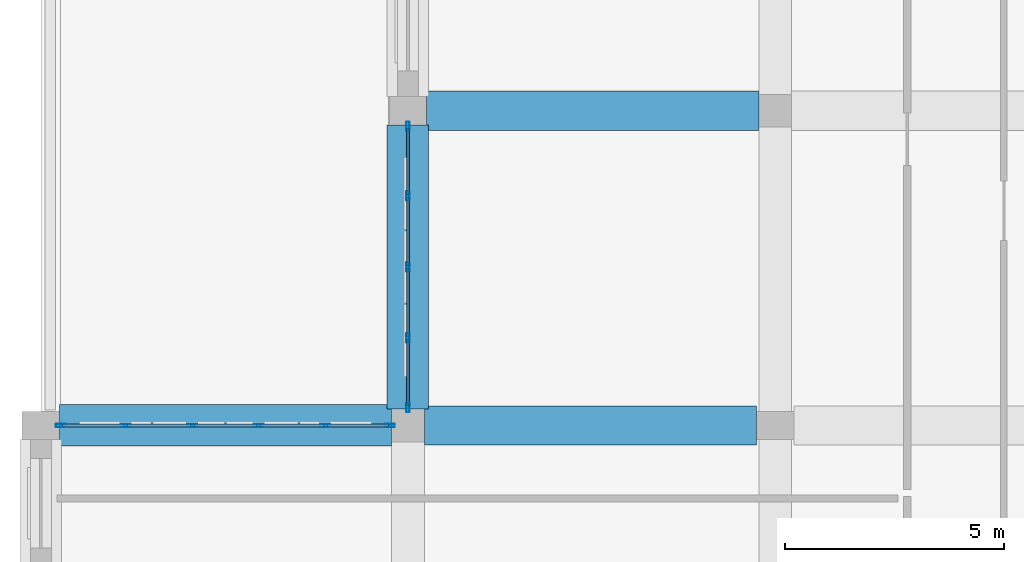
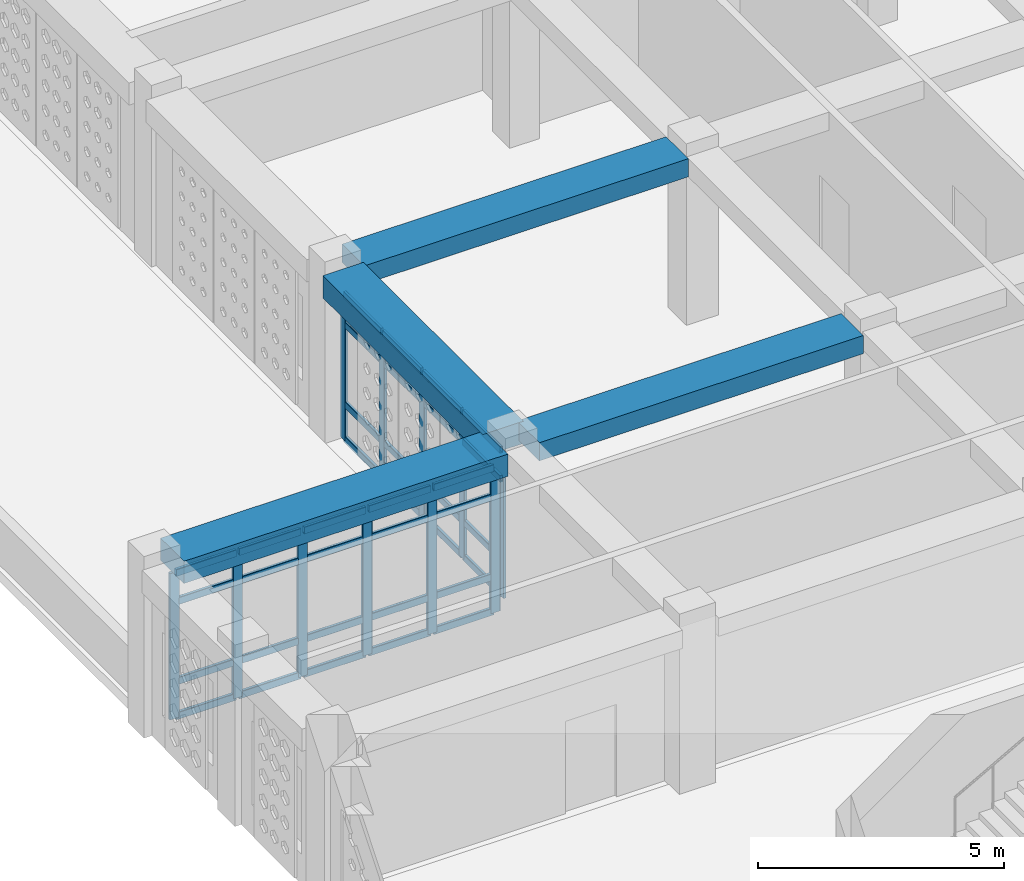
# One storey, part 9 of 100: 47 members, 4 beams, 2 elements without a shape of their own.
"""IFC4 building model written with IfcOpenShell, lengths in metres."""

from ifc_helpers import new_model, si_unit, derived_unit, direction, frame, origin, origin_2d, place, context, subcontext, project, spatial, rectangle, hollow_rectangle, extrude, material, material_profile, profile_set, type_object, element, aggregate, save


model = new_model("IFC4")

# Units and contexts
model_context = context("Model", 3, precision=1e-05, world=origin(), true_north=direction((0.0, 1.0)))
body_context = subcontext(model_context, "Body", "Model", "MODEL_VIEW")
ifc_project = project(units=[si_unit("LENGTHUNIT", "METRE"), si_unit("AREAUNIT", "SQUARE_METRE"), si_unit("VOLUMEUNIT", "CUBIC_METRE"), si_unit("PLANEANGLEUNIT", "RADIAN"), si_unit("MASSUNIT", "GRAM", prefix="KILO"), derived_unit("THERMALTRANSMITTANCEUNIT", [(si_unit("POWERUNIT", "WATT"), 1), (si_unit("LENGTHUNIT", "METRE"), -2), (si_unit("THERMODYNAMICTEMPERATUREUNIT", "KELVIN"), -1)])], contexts=[model_context])

# Site, building, storey
site_placement = place(None, origin())
site = spatial("IfcSite", under=ifc_project, at=site_placement, CompositionType="ELEMENT")
building_placement = place(site_placement, origin())
building = spatial("IfcBuilding", under=site, at=building_placement, Name="Veybourne Emporium", CompositionType="ELEMENT")
storey_placement = place(building_placement, frame((0.0, 0.0, 14.39990234375)))
storey = spatial("IfcBuildingStorey", under=building, at=storey_placement, Name="L03", CompositionType="ELEMENT", Elevation=14.39990234375)

# Curtain wall, members
ifc_material_1 = material(Name="Patinated Architectural Bronze", Category="bronze")
curtain_wall_type_1 = type_object("IfcCurtainWallType", Name="CWSystem_CWS-06", PredefinedType="NOTDEFINED", material=ifc_material_1)
curtain_wall_1_placement = place(storey_placement, origin())
curtain_wall_1 = element("IfcCurtainWall", 1, at=curtain_wall_1_placement, inside=storey, type_object=curtain_wall_type_1, Name="L03 bronze glazed curtain wall CWS-06 (006)", PredefinedType="NOTDEFINED")
ifc_material_profile_1 = material_profile(ifc_material_1, hollow_rectangle(XDim=0.074951171875, YDim=0.22998046875, WallThickness=0.0048828125, InnerFilletRadius=0.007568359375, OuterFilletRadius=0.012451171875, at=origin_2d()), Name="CWM 75x230x5")
ifc_profile_set_1 = profile_set([ifc_material_profile_1], Name="Patinated Architectural Bronze")
member_type_1 = type_object("IfcMemberType", Name="CWMullion_CW-M2", PredefinedType="MULLION", material=ifc_profile_set_1)
member_1_placement = place(storey_placement, frame((0.46240234375, 50.39990234375, 0.0), z_axis=(0.0, 0.0, 1.0), x_axis=(0.0, 1.0, 0.0)))
member_1 = element("IfcMember", 2, at=member_1_placement, type_object=member_type_1, Name="CWS-06 mullion 1", PredefinedType="MULLION", context=body_context, shape_type="SweptSolid", body=[
    extrude(hollow_rectangle(XDim=0.074951171875, YDim=0.22998046875, WallThickness=0.0048828125, InnerFilletRadius=0.007568359375, OuterFilletRadius=0.012451171875, at=origin_2d()), origin(), (0.0, 0.0, 1.0), 3.630126953125),
])
member_2_placement = place(storey_placement, frame((1.945068359375, 50.39990234375, 0.0), z_axis=(0.0, 0.0, 1.0), x_axis=(0.0, 1.0, 0.0)))
member_2 = element("IfcMember", 3, at=member_2_placement, type_object=member_type_1, Name="CWS-06 mullion 2", PredefinedType="MULLION", context=body_context, shape_type="SweptSolid", body=[
    extrude(hollow_rectangle(XDim=0.074951171875, YDim=0.22998046875, WallThickness=0.0048828125, InnerFilletRadius=0.007568359375, OuterFilletRadius=0.012451171875, at=origin_2d()), origin(), (0.0, 0.0, 1.0), 3.630126953125),
])
member_3_placement = place(storey_placement, frame((3.465087890625, 50.39990234375, 0.0), z_axis=(0.0, 0.0, 1.0), x_axis=(0.0, 1.0, 0.0)))
member_3 = element("IfcMember", 4, at=member_3_placement, type_object=member_type_1, Name="CWS-06 mullion 3", PredefinedType="MULLION", context=body_context, shape_type="SweptSolid", body=[
    extrude(hollow_rectangle(XDim=0.074951171875, YDim=0.22998046875, WallThickness=0.0048828125, InnerFilletRadius=0.007568359375, OuterFilletRadius=0.012451171875, at=origin_2d()), origin(), (0.0, 0.0, 1.0), 3.630126953125),
])
member_4_placement = place(storey_placement, frame((4.985107421875, 50.39990234375, 0.0), z_axis=(0.0, 0.0, 1.0), x_axis=(0.0, 1.0, 0.0)))
member_4 = element("IfcMember", 5, at=member_4_placement, type_object=member_type_1, Name="CWS-06 mullion 4", PredefinedType="MULLION", context=body_context, shape_type="SweptSolid", body=[
    extrude(hollow_rectangle(XDim=0.074951171875, YDim=0.22998046875, WallThickness=0.0048828125, InnerFilletRadius=0.007568359375, OuterFilletRadius=0.012451171875, at=origin_2d()), origin(), (0.0, 0.0, 1.0), 3.630126953125),
])
member_5_placement = place(storey_placement, frame((6.5048828125, 50.39990234375, 0.0), z_axis=(0.0, 0.0, 1.0), x_axis=(0.0, 1.0, 0.0)))
member_5 = element("IfcMember", 6, at=member_5_placement, type_object=member_type_1, Name="CWS-06 mullion 5", PredefinedType="MULLION", context=body_context, shape_type="SweptSolid", body=[
    extrude(hollow_rectangle(XDim=0.074951171875, YDim=0.22998046875, WallThickness=0.0048828125, InnerFilletRadius=0.007568359375, OuterFilletRadius=0.012451171875, at=origin_2d()), origin(), (0.0, 0.0, 1.0), 3.630126953125),
])
member_6_placement = place(storey_placement, frame((7.987548828125, 50.39990234375, 0.0), z_axis=(0.0, 0.0, 1.0), x_axis=(0.0, 1.0, 0.0)))
member_6 = element("IfcMember", 7, at=member_6_placement, type_object=member_type_1, Name="CWS-06 mullion 6", PredefinedType="MULLION", context=body_context, shape_type="SweptSolid", body=[
    extrude(hollow_rectangle(XDim=0.074951171875, YDim=0.22998046875, WallThickness=0.0048828125, InnerFilletRadius=0.007568359375, OuterFilletRadius=0.012451171875, at=origin_2d()), origin(), (0.0, 0.0, 1.0), 3.630126953125),
])

curtain_wall_type_2 = type_object("IfcCurtainWallType", Name="CWSystem_CWS-08", PredefinedType="NOTDEFINED", material=ifc_material_1)
curtain_wall_2_placement = place(storey_placement, origin())
curtain_wall_2 = element("IfcCurtainWall", 8, at=curtain_wall_2_placement, inside=storey, type_object=curtain_wall_type_2, Name="L03 bronze glazed curtain wall CWS-08 (009)", PredefinedType="NOTDEFINED")
ifc_material_profile_2 = material_profile(ifc_material_1, hollow_rectangle(XDim=0.070068359375, YDim=0.219970703125, WallThickness=0.0048828125, InnerFilletRadius=0.007568359375, OuterFilletRadius=0.012451171875, at=origin_2d()), Name="CWM 70x220x5")
ifc_profile_set_2 = profile_set([ifc_material_profile_2], Name="Patinated Architectural Bronze")
member_type_2 = type_object("IfcMemberType", Name="CWMullion_CW-M4", PredefinedType="MULLION", material=ifc_profile_set_2)
member_7_placement = place(storey_placement, frame((8.39990234375, 50.81005859375, 0.0), z_axis=(0.0, 0.0, 1.0), x_axis=(-1.0, 0.0, 0.0)))
member_7 = element("IfcMember", 9, at=member_7_placement, type_object=member_type_2, Name="CWS-08 mullion 1", PredefinedType="MULLION", context=body_context, shape_type="SweptSolid", body=[
    extrude(hollow_rectangle(XDim=0.070068359375, YDim=0.219970703125, WallThickness=0.0048828125, InnerFilletRadius=0.007568359375, OuterFilletRadius=0.012451171875, at=origin_2d()), origin(), (0.0, 0.0, 1.0), 3.630126953125),
])
member_8_placement = place(storey_placement, frame((8.39990234375, 52.39990234375, 0.0), z_axis=(0.0, 0.0, 1.0), x_axis=(-1.0, 0.0, 0.0)))
member_8 = element("IfcMember", 10, at=member_8_placement, type_object=member_type_2, Name="CWS-08 mullion 2", PredefinedType="MULLION", context=body_context, shape_type="SweptSolid", body=[
    extrude(hollow_rectangle(XDim=0.070068359375, YDim=0.219970703125, WallThickness=0.0048828125, InnerFilletRadius=0.007568359375, OuterFilletRadius=0.012451171875, at=origin_2d()), origin(), (0.0, 0.0, 1.0), 3.630126953125),
])
member_9_placement = place(storey_placement, frame((8.39990234375, 54.02490234375, 0.0), z_axis=(0.0, 0.0, 1.0), x_axis=(-1.0, 0.0, 0.0)))
member_9 = element("IfcMember", 11, at=member_9_placement, type_object=member_type_2, Name="CWS-08 mullion 3", PredefinedType="MULLION", context=body_context, shape_type="SweptSolid", body=[
    extrude(hollow_rectangle(XDim=0.070068359375, YDim=0.219970703125, WallThickness=0.0048828125, InnerFilletRadius=0.007568359375, OuterFilletRadius=0.012451171875, at=origin_2d()), origin(), (0.0, 0.0, 1.0), 3.630126953125),
])
member_10_placement = place(storey_placement, frame((8.39990234375, 55.64990234375, 0.0), z_axis=(0.0, 0.0, 1.0), x_axis=(-1.0, 0.0, 0.0)))
member_10 = element("IfcMember", 12, at=member_10_placement, type_object=member_type_2, Name="CWS-08 mullion 4", PredefinedType="MULLION", context=body_context, shape_type="SweptSolid", body=[
    extrude(hollow_rectangle(XDim=0.070068359375, YDim=0.219970703125, WallThickness=0.0048828125, InnerFilletRadius=0.007568359375, OuterFilletRadius=0.012451171875, at=origin_2d()), origin(), (0.0, 0.0, 1.0), 3.630126953125),
])
member_11_placement = place(storey_placement, frame((8.39990234375, 57.239990234375, 0.0), z_axis=(0.0, 0.0, 1.0), x_axis=(-1.0, 0.0, 0.0)))
member_11 = element("IfcMember", 13, at=member_11_placement, type_object=member_type_2, Name="CWS-08 mullion 5", PredefinedType="MULLION", context=body_context, shape_type="SweptSolid", body=[
    extrude(hollow_rectangle(XDim=0.070068359375, YDim=0.219970703125, WallThickness=0.0048828125, InnerFilletRadius=0.007568359375, OuterFilletRadius=0.012451171875, at=origin_2d()), origin(), (0.0, 0.0, 1.0), 3.630126953125),
])

# Member
ifc_material_profile_3 = material_profile(ifc_material_1, hollow_rectangle(XDim=0.074951171875, YDim=0.179931640625, WallThickness=0.0048828125, InnerFilletRadius=0.007568359375, OuterFilletRadius=0.012451171875, at=origin_2d()), Name="CWT 75x180x5")
ifc_profile_set_3 = profile_set([ifc_material_profile_3], Name="Patinated Architectural Bronze")
member_type_3 = type_object("IfcMemberType", Name="CWTransom_CW-T2", PredefinedType="NOTDEFINED", material=ifc_profile_set_3)
member_12_placement = place(storey_placement, frame((0.5, 50.39990234375, 0.03759765625), z_axis=(1.0, 0.0, 0.0), x_axis=(0.0, 1.0, 0.0)))
member_12 = element("IfcMember", 14, at=member_12_placement, type_object=member_type_3, Name="CWS-06 transom 1.1", ObjectType="TRANSOM", PredefinedType="USERDEFINED", context=body_context, shape_type="SweptSolid", body=[
    extrude(hollow_rectangle(XDim=0.074951171875, YDim=0.179931640625, WallThickness=0.0048828125, InnerFilletRadius=0.007568359375, OuterFilletRadius=0.012451171875, at=origin_2d()), origin(), (0.0, 0.0, 1.0), 1.407470703125),
])

member_13_placement = place(storey_placement, frame((0.5, 50.39990234375, 0.900146484375), z_axis=(1.0, 0.0, 0.0), x_axis=(0.0, 1.0, 0.0)))
member_13 = element("IfcMember", 15, at=member_13_placement, type_object=member_type_3, Name="CWS-06 transom 1.2", ObjectType="TRANSOM", PredefinedType="USERDEFINED", context=body_context, shape_type="SweptSolid", body=[
    extrude(hollow_rectangle(XDim=0.074951171875, YDim=0.179931640625, WallThickness=0.0048828125, InnerFilletRadius=0.007568359375, OuterFilletRadius=0.012451171875, at=origin_2d()), origin(), (0.0, 0.0, 1.0), 1.407470703125),
])

member_14_placement = place(storey_placement, frame((0.5, 50.39990234375, 2.880126953125), z_axis=(1.0, 0.0, 0.0), x_axis=(0.0, 1.0, 0.0)))
member_14 = element("IfcMember", 16, at=member_14_placement, type_object=member_type_3, Name="CWS-06 transom 1.3", ObjectType="TRANSOM", PredefinedType="USERDEFINED", context=body_context, shape_type="SweptSolid", body=[
    extrude(hollow_rectangle(XDim=0.074951171875, YDim=0.179931640625, WallThickness=0.0048828125, InnerFilletRadius=0.007568359375, OuterFilletRadius=0.012451171875, at=origin_2d()), origin(), (0.0, 0.0, 1.0), 1.407470703125),
])

member_15_placement = place(storey_placement, frame((0.5, 50.39990234375, 3.592529296875), z_axis=(1.0, 0.0, 0.0), x_axis=(0.0, 1.0, 0.0)))
member_15 = element("IfcMember", 17, at=member_15_placement, type_object=member_type_3, Name="CWS-06 transom 1.4", ObjectType="TRANSOM", PredefinedType="USERDEFINED", context=body_context, shape_type="SweptSolid", body=[
    extrude(hollow_rectangle(XDim=0.074951171875, YDim=0.179931640625, WallThickness=0.0048828125, InnerFilletRadius=0.007568359375, OuterFilletRadius=0.012451171875, at=origin_2d()), origin(), (0.0, 0.0, 1.0), 1.407470703125),
])

member_16_placement = place(storey_placement, frame((1.982421875, 50.39990234375, 0.03759765625), z_axis=(1.0, 0.0, 0.0), x_axis=(0.0, 1.0, 0.0)))
member_16 = element("IfcMember", 18, at=member_16_placement, type_object=member_type_3, Name="CWS-06 transom 2.1", ObjectType="TRANSOM", PredefinedType="USERDEFINED", context=body_context, shape_type="SweptSolid", body=[
    extrude(hollow_rectangle(XDim=0.074951171875, YDim=0.179931640625, WallThickness=0.0048828125, InnerFilletRadius=0.007568359375, OuterFilletRadius=0.012451171875, at=origin_2d()), origin(), (0.0, 0.0, 1.0), 1.445068359375),
])

member_17_placement = place(storey_placement, frame((1.982421875, 50.39990234375, 0.900146484375), z_axis=(1.0, 0.0, 0.0), x_axis=(0.0, 1.0, 0.0)))
member_17 = element("IfcMember", 19, at=member_17_placement, type_object=member_type_3, Name="CWS-06 transom 2.2", ObjectType="TRANSOM", PredefinedType="USERDEFINED", context=body_context, shape_type="SweptSolid", body=[
    extrude(hollow_rectangle(XDim=0.074951171875, YDim=0.179931640625, WallThickness=0.0048828125, InnerFilletRadius=0.007568359375, OuterFilletRadius=0.012451171875, at=origin_2d()), origin(), (0.0, 0.0, 1.0), 1.445068359375),
])

member_18_placement = place(storey_placement, frame((1.982421875, 50.39990234375, 2.880126953125), z_axis=(1.0, 0.0, 0.0), x_axis=(0.0, 1.0, 0.0)))
member_18 = element("IfcMember", 20, at=member_18_placement, type_object=member_type_3, Name="CWS-06 transom 2.3", ObjectType="TRANSOM", PredefinedType="USERDEFINED", context=body_context, shape_type="SweptSolid", body=[
    extrude(hollow_rectangle(XDim=0.074951171875, YDim=0.179931640625, WallThickness=0.0048828125, InnerFilletRadius=0.007568359375, OuterFilletRadius=0.012451171875, at=origin_2d()), origin(), (0.0, 0.0, 1.0), 1.445068359375),
])

member_19_placement = place(storey_placement, frame((1.982421875, 50.39990234375, 3.592529296875), z_axis=(1.0, 0.0, 0.0), x_axis=(0.0, 1.0, 0.0)))
member_19 = element("IfcMember", 21, at=member_19_placement, type_object=member_type_3, Name="CWS-06 transom 2.4", ObjectType="TRANSOM", PredefinedType="USERDEFINED", context=body_context, shape_type="SweptSolid", body=[
    extrude(hollow_rectangle(XDim=0.074951171875, YDim=0.179931640625, WallThickness=0.0048828125, InnerFilletRadius=0.007568359375, OuterFilletRadius=0.012451171875, at=origin_2d()), origin(), (0.0, 0.0, 1.0), 1.445068359375),
])

member_20_placement = place(storey_placement, frame((3.50244140625, 50.39990234375, 0.03759765625), z_axis=(1.0, 0.0, 0.0), x_axis=(0.0, 1.0, 0.0)))
member_20 = element("IfcMember", 22, at=member_20_placement, type_object=member_type_3, Name="CWS-06 transom 3.1", ObjectType="TRANSOM", PredefinedType="USERDEFINED", context=body_context, shape_type="SweptSolid", body=[
    extrude(hollow_rectangle(XDim=0.074951171875, YDim=0.179931640625, WallThickness=0.0048828125, InnerFilletRadius=0.007568359375, OuterFilletRadius=0.012451171875, at=origin_2d()), origin(), (0.0, 0.0, 1.0), 1.445068359375),
])

member_21_placement = place(storey_placement, frame((3.50244140625, 50.39990234375, 0.900146484375), z_axis=(1.0, 0.0, 0.0), x_axis=(0.0, 1.0, 0.0)))
member_21 = element("IfcMember", 23, at=member_21_placement, type_object=member_type_3, Name="CWS-06 transom 3.2", ObjectType="TRANSOM", PredefinedType="USERDEFINED", context=body_context, shape_type="SweptSolid", body=[
    extrude(hollow_rectangle(XDim=0.074951171875, YDim=0.179931640625, WallThickness=0.0048828125, InnerFilletRadius=0.007568359375, OuterFilletRadius=0.012451171875, at=origin_2d()), origin(), (0.0, 0.0, 1.0), 1.445068359375),
])

member_22_placement = place(storey_placement, frame((3.50244140625, 50.39990234375, 2.880126953125), z_axis=(1.0, 0.0, 0.0), x_axis=(0.0, 1.0, 0.0)))
member_22 = element("IfcMember", 24, at=member_22_placement, type_object=member_type_3, Name="CWS-06 transom 3.3", ObjectType="TRANSOM", PredefinedType="USERDEFINED", context=body_context, shape_type="SweptSolid", body=[
    extrude(hollow_rectangle(XDim=0.074951171875, YDim=0.179931640625, WallThickness=0.0048828125, InnerFilletRadius=0.007568359375, OuterFilletRadius=0.012451171875, at=origin_2d()), origin(), (0.0, 0.0, 1.0), 1.445068359375),
])

member_23_placement = place(storey_placement, frame((3.50244140625, 50.39990234375, 3.592529296875), z_axis=(1.0, 0.0, 0.0), x_axis=(0.0, 1.0, 0.0)))
member_23 = element("IfcMember", 25, at=member_23_placement, type_object=member_type_3, Name="CWS-06 transom 3.4", ObjectType="TRANSOM", PredefinedType="USERDEFINED", context=body_context, shape_type="SweptSolid", body=[
    extrude(hollow_rectangle(XDim=0.074951171875, YDim=0.179931640625, WallThickness=0.0048828125, InnerFilletRadius=0.007568359375, OuterFilletRadius=0.012451171875, at=origin_2d()), origin(), (0.0, 0.0, 1.0), 1.445068359375),
])

member_24_placement = place(storey_placement, frame((5.0224609375, 50.39990234375, 0.03759765625), z_axis=(1.0, 0.0, 0.0), x_axis=(0.0, 1.0, 0.0)))
member_24 = element("IfcMember", 26, at=member_24_placement, type_object=member_type_3, Name="CWS-06 transom 4.1", ObjectType="TRANSOM", PredefinedType="USERDEFINED", context=body_context, shape_type="SweptSolid", body=[
    extrude(hollow_rectangle(XDim=0.074951171875, YDim=0.179931640625, WallThickness=0.0048828125, InnerFilletRadius=0.007568359375, OuterFilletRadius=0.012451171875, at=origin_2d()), origin(), (0.0, 0.0, 1.0), 1.445068359375),
])

member_25_placement = place(storey_placement, frame((5.0224609375, 50.39990234375, 0.900146484375), z_axis=(1.0, 0.0, 0.0), x_axis=(0.0, 1.0, 0.0)))
member_25 = element("IfcMember", 27, at=member_25_placement, type_object=member_type_3, Name="CWS-06 transom 4.2", ObjectType="TRANSOM", PredefinedType="USERDEFINED", context=body_context, shape_type="SweptSolid", body=[
    extrude(hollow_rectangle(XDim=0.074951171875, YDim=0.179931640625, WallThickness=0.0048828125, InnerFilletRadius=0.007568359375, OuterFilletRadius=0.012451171875, at=origin_2d()), origin(), (0.0, 0.0, 1.0), 1.445068359375),
])

member_26_placement = place(storey_placement, frame((5.0224609375, 50.39990234375, 2.880126953125), z_axis=(1.0, 0.0, 0.0), x_axis=(0.0, 1.0, 0.0)))
member_26 = element("IfcMember", 28, at=member_26_placement, type_object=member_type_3, Name="CWS-06 transom 4.3", ObjectType="TRANSOM", PredefinedType="USERDEFINED", context=body_context, shape_type="SweptSolid", body=[
    extrude(hollow_rectangle(XDim=0.074951171875, YDim=0.179931640625, WallThickness=0.0048828125, InnerFilletRadius=0.007568359375, OuterFilletRadius=0.012451171875, at=origin_2d()), origin(), (0.0, 0.0, 1.0), 1.445068359375),
])

member_27_placement = place(storey_placement, frame((5.0224609375, 50.39990234375, 3.592529296875), z_axis=(1.0, 0.0, 0.0), x_axis=(0.0, 1.0, 0.0)))
member_27 = element("IfcMember", 29, at=member_27_placement, type_object=member_type_3, Name="CWS-06 transom 4.4", ObjectType="TRANSOM", PredefinedType="USERDEFINED", context=body_context, shape_type="SweptSolid", body=[
    extrude(hollow_rectangle(XDim=0.074951171875, YDim=0.179931640625, WallThickness=0.0048828125, InnerFilletRadius=0.007568359375, OuterFilletRadius=0.012451171875, at=origin_2d()), origin(), (0.0, 0.0, 1.0), 1.445068359375),
])

member_28_placement = place(storey_placement, frame((6.54248046875, 50.39990234375, 0.03759765625), z_axis=(1.0, 0.0, 0.0), x_axis=(0.0, 1.0, 0.0)))
member_28 = element("IfcMember", 30, at=member_28_placement, type_object=member_type_3, Name="CWS-06 transom 5.1", ObjectType="TRANSOM", PredefinedType="USERDEFINED", context=body_context, shape_type="SweptSolid", body=[
    extrude(hollow_rectangle(XDim=0.074951171875, YDim=0.179931640625, WallThickness=0.0048828125, InnerFilletRadius=0.007568359375, OuterFilletRadius=0.012451171875, at=origin_2d()), origin(), (0.0, 0.0, 1.0), 1.407470703125),
])

member_29_placement = place(storey_placement, frame((6.54248046875, 50.39990234375, 0.900146484375), z_axis=(1.0, 0.0, 0.0), x_axis=(0.0, 1.0, 0.0)))
member_29 = element("IfcMember", 31, at=member_29_placement, type_object=member_type_3, Name="CWS-06 transom 5.2", ObjectType="TRANSOM", PredefinedType="USERDEFINED", context=body_context, shape_type="SweptSolid", body=[
    extrude(hollow_rectangle(XDim=0.074951171875, YDim=0.179931640625, WallThickness=0.0048828125, InnerFilletRadius=0.007568359375, OuterFilletRadius=0.012451171875, at=origin_2d()), origin(), (0.0, 0.0, 1.0), 1.407470703125),
])

member_30_placement = place(storey_placement, frame((6.54248046875, 50.39990234375, 2.880126953125), z_axis=(1.0, 0.0, 0.0), x_axis=(0.0, 1.0, 0.0)))
member_30 = element("IfcMember", 32, at=member_30_placement, type_object=member_type_3, Name="CWS-06 transom 5.3", ObjectType="TRANSOM", PredefinedType="USERDEFINED", context=body_context, shape_type="SweptSolid", body=[
    extrude(hollow_rectangle(XDim=0.074951171875, YDim=0.179931640625, WallThickness=0.0048828125, InnerFilletRadius=0.007568359375, OuterFilletRadius=0.012451171875, at=origin_2d()), origin(), (0.0, 0.0, 1.0), 1.407470703125),
])

member_31_placement = place(storey_placement, frame((6.54248046875, 50.39990234375, 3.592529296875), z_axis=(1.0, 0.0, 0.0), x_axis=(0.0, 1.0, 0.0)))
member_31 = element("IfcMember", 33, at=member_31_placement, type_object=member_type_3, Name="CWS-06 transom 5.4", ObjectType="TRANSOM", PredefinedType="USERDEFINED", context=body_context, shape_type="SweptSolid", body=[
    extrude(hollow_rectangle(XDim=0.074951171875, YDim=0.179931640625, WallThickness=0.0048828125, InnerFilletRadius=0.007568359375, OuterFilletRadius=0.012451171875, at=origin_2d()), origin(), (0.0, 0.0, 1.0), 1.407470703125),
])

aggregate(curtain_wall_1, [member_1, member_2, member_3, member_4, member_5, member_6, member_12, member_13, member_14, member_15, member_16, member_17, member_18, member_19, member_20, member_21, member_22, member_23, member_24, member_25, member_26, member_27, member_28, member_29, member_30, member_31])

ifc_material_profile_4 = material_profile(ifc_material_1, hollow_rectangle(XDim=0.070068359375, YDim=0.169921875, WallThickness=0.0048828125, InnerFilletRadius=0.007568359375, OuterFilletRadius=0.012451171875, at=origin_2d()), Name="CWT 70x170x5")
ifc_profile_set_4 = profile_set([ifc_material_profile_4], Name="Patinated Architectural Bronze")
member_type_4 = type_object("IfcMemberType", Name="CWTransom_CW-T4", PredefinedType="NOTDEFINED", material=ifc_profile_set_4)
member_32_placement = place(storey_placement, frame((8.39990234375, 50.844970703125, 0.03515625), z_axis=(0.0, 1.0, 0.0), x_axis=(-1.0, 0.0, 0.0)))
member_32 = element("IfcMember", 34, at=member_32_placement, type_object=member_type_4, Name="CWS-08 transom 1.1", ObjectType="TRANSOM", PredefinedType="USERDEFINED", context=body_context, shape_type="SweptSolid", body=[
    extrude(hollow_rectangle(XDim=0.070068359375, YDim=0.169921875, WallThickness=0.0048828125, InnerFilletRadius=0.007568359375, OuterFilletRadius=0.012451171875, at=origin_2d()), origin(), (0.0, 0.0, 1.0), 1.52001953125),
])

member_33_placement = place(storey_placement, frame((8.39990234375, 50.844970703125, 0.900146484375), z_axis=(0.0, 1.0, 0.0), x_axis=(-1.0, 0.0, 0.0)))
member_33 = element("IfcMember", 35, at=member_33_placement, type_object=member_type_4, Name="CWS-08 transom 1.2", ObjectType="TRANSOM", PredefinedType="USERDEFINED", context=body_context, shape_type="SweptSolid", body=[
    extrude(hollow_rectangle(XDim=0.070068359375, YDim=0.169921875, WallThickness=0.0048828125, InnerFilletRadius=0.007568359375, OuterFilletRadius=0.012451171875, at=origin_2d()), origin(), (0.0, 0.0, 1.0), 1.52001953125),
])

member_34_placement = place(storey_placement, frame((8.39990234375, 50.844970703125, 2.880126953125), z_axis=(0.0, 1.0, 0.0), x_axis=(-1.0, 0.0, 0.0)))
member_34 = element("IfcMember", 36, at=member_34_placement, type_object=member_type_4, Name="CWS-08 transom 1.3", ObjectType="TRANSOM", PredefinedType="USERDEFINED", context=body_context, shape_type="SweptSolid", body=[
    extrude(hollow_rectangle(XDim=0.070068359375, YDim=0.169921875, WallThickness=0.0048828125, InnerFilletRadius=0.007568359375, OuterFilletRadius=0.012451171875, at=origin_2d()), origin(), (0.0, 0.0, 1.0), 1.52001953125),
])

member_35_placement = place(storey_placement, frame((8.39990234375, 50.844970703125, 3.59521484375), z_axis=(0.0, 1.0, 0.0), x_axis=(-1.0, 0.0, 0.0)))
member_35 = element("IfcMember", 37, at=member_35_placement, type_object=member_type_4, Name="CWS-08 transom 1.4", ObjectType="TRANSOM", PredefinedType="USERDEFINED", context=body_context, shape_type="SweptSolid", body=[
    extrude(hollow_rectangle(XDim=0.070068359375, YDim=0.169921875, WallThickness=0.0048828125, InnerFilletRadius=0.007568359375, OuterFilletRadius=0.012451171875, at=origin_2d()), origin(), (0.0, 0.0, 1.0), 1.52001953125),
])

member_36_placement = place(storey_placement, frame((8.39990234375, 52.43505859375, 0.03515625), z_axis=(0.0, 1.0, 0.0), x_axis=(-1.0, 0.0, 0.0)))
member_36 = element("IfcMember", 38, at=member_36_placement, type_object=member_type_4, Name="CWS-08 transom 2.1", ObjectType="TRANSOM", PredefinedType="USERDEFINED", context=body_context, shape_type="SweptSolid", body=[
    extrude(hollow_rectangle(XDim=0.070068359375, YDim=0.169921875, WallThickness=0.0048828125, InnerFilletRadius=0.007568359375, OuterFilletRadius=0.012451171875, at=origin_2d()), origin(), (0.0, 0.0, 1.0), 1.554931640625),
])

member_37_placement = place(storey_placement, frame((8.39990234375, 52.43505859375, 0.900146484375), z_axis=(0.0, 1.0, 0.0), x_axis=(-1.0, 0.0, 0.0)))
member_37 = element("IfcMember", 39, at=member_37_placement, type_object=member_type_4, Name="CWS-08 transom 2.2", ObjectType="TRANSOM", PredefinedType="USERDEFINED", context=body_context, shape_type="SweptSolid", body=[
    extrude(hollow_rectangle(XDim=0.070068359375, YDim=0.169921875, WallThickness=0.0048828125, InnerFilletRadius=0.007568359375, OuterFilletRadius=0.012451171875, at=origin_2d()), origin(), (0.0, 0.0, 1.0), 1.554931640625),
])

member_38_placement = place(storey_placement, frame((8.39990234375, 52.43505859375, 2.880126953125), z_axis=(0.0, 1.0, 0.0), x_axis=(-1.0, 0.0, 0.0)))
member_38 = element("IfcMember", 40, at=member_38_placement, type_object=member_type_4, Name="CWS-08 transom 2.3", ObjectType="TRANSOM", PredefinedType="USERDEFINED", context=body_context, shape_type="SweptSolid", body=[
    extrude(hollow_rectangle(XDim=0.070068359375, YDim=0.169921875, WallThickness=0.0048828125, InnerFilletRadius=0.007568359375, OuterFilletRadius=0.012451171875, at=origin_2d()), origin(), (0.0, 0.0, 1.0), 1.554931640625),
])

member_39_placement = place(storey_placement, frame((8.39990234375, 52.43505859375, 3.59521484375), z_axis=(0.0, 1.0, 0.0), x_axis=(-1.0, 0.0, 0.0)))
member_39 = element("IfcMember", 41, at=member_39_placement, type_object=member_type_4, Name="CWS-08 transom 2.4", ObjectType="TRANSOM", PredefinedType="USERDEFINED", context=body_context, shape_type="SweptSolid", body=[
    extrude(hollow_rectangle(XDim=0.070068359375, YDim=0.169921875, WallThickness=0.0048828125, InnerFilletRadius=0.007568359375, OuterFilletRadius=0.012451171875, at=origin_2d()), origin(), (0.0, 0.0, 1.0), 1.554931640625),
])

member_40_placement = place(storey_placement, frame((8.39990234375, 54.06005859375, 0.03515625), z_axis=(0.0, 1.0, 0.0), x_axis=(-1.0, 0.0, 0.0)))
member_40 = element("IfcMember", 42, at=member_40_placement, type_object=member_type_4, Name="CWS-08 transom 3.1", ObjectType="TRANSOM", PredefinedType="USERDEFINED", context=body_context, shape_type="SweptSolid", body=[
    extrude(hollow_rectangle(XDim=0.070068359375, YDim=0.169921875, WallThickness=0.0048828125, InnerFilletRadius=0.007568359375, OuterFilletRadius=0.012451171875, at=origin_2d()), origin(), (0.0, 0.0, 1.0), 1.554931640625),
])

member_41_placement = place(storey_placement, frame((8.39990234375, 54.06005859375, 0.900146484375), z_axis=(0.0, 1.0, 0.0), x_axis=(-1.0, 0.0, 0.0)))
member_41 = element("IfcMember", 43, at=member_41_placement, type_object=member_type_4, Name="CWS-08 transom 3.2", ObjectType="TRANSOM", PredefinedType="USERDEFINED", context=body_context, shape_type="SweptSolid", body=[
    extrude(hollow_rectangle(XDim=0.070068359375, YDim=0.169921875, WallThickness=0.0048828125, InnerFilletRadius=0.007568359375, OuterFilletRadius=0.012451171875, at=origin_2d()), origin(), (0.0, 0.0, 1.0), 1.554931640625),
])

member_42_placement = place(storey_placement, frame((8.39990234375, 54.06005859375, 2.880126953125), z_axis=(0.0, 1.0, 0.0), x_axis=(-1.0, 0.0, 0.0)))
member_42 = element("IfcMember", 44, at=member_42_placement, type_object=member_type_4, Name="CWS-08 transom 3.3", ObjectType="TRANSOM", PredefinedType="USERDEFINED", context=body_context, shape_type="SweptSolid", body=[
    extrude(hollow_rectangle(XDim=0.070068359375, YDim=0.169921875, WallThickness=0.0048828125, InnerFilletRadius=0.007568359375, OuterFilletRadius=0.012451171875, at=origin_2d()), origin(), (0.0, 0.0, 1.0), 1.554931640625),
])

member_43_placement = place(storey_placement, frame((8.39990234375, 54.06005859375, 3.59521484375), z_axis=(0.0, 1.0, 0.0), x_axis=(-1.0, 0.0, 0.0)))
member_43 = element("IfcMember", 45, at=member_43_placement, type_object=member_type_4, Name="CWS-08 transom 3.4", ObjectType="TRANSOM", PredefinedType="USERDEFINED", context=body_context, shape_type="SweptSolid", body=[
    extrude(hollow_rectangle(XDim=0.070068359375, YDim=0.169921875, WallThickness=0.0048828125, InnerFilletRadius=0.007568359375, OuterFilletRadius=0.012451171875, at=origin_2d()), origin(), (0.0, 0.0, 1.0), 1.554931640625),
])

member_44_placement = place(storey_placement, frame((8.39990234375, 55.68505859375, 0.03515625), z_axis=(0.0, 1.0, 0.0), x_axis=(-1.0, 0.0, 0.0)))
member_44 = element("IfcMember", 46, at=member_44_placement, type_object=member_type_4, Name="CWS-08 transom 4.1", ObjectType="TRANSOM", PredefinedType="USERDEFINED", context=body_context, shape_type="SweptSolid", body=[
    extrude(hollow_rectangle(XDim=0.070068359375, YDim=0.169921875, WallThickness=0.0048828125, InnerFilletRadius=0.007568359375, OuterFilletRadius=0.012451171875, at=origin_2d()), origin(), (0.0, 0.0, 1.0), 1.52001953125),
])

member_45_placement = place(storey_placement, frame((8.39990234375, 55.68505859375, 0.900146484375), z_axis=(0.0, 1.0, 0.0), x_axis=(-1.0, 0.0, 0.0)))
member_45 = element("IfcMember", 47, at=member_45_placement, type_object=member_type_4, Name="CWS-08 transom 4.2", ObjectType="TRANSOM", PredefinedType="USERDEFINED", context=body_context, shape_type="SweptSolid", body=[
    extrude(hollow_rectangle(XDim=0.070068359375, YDim=0.169921875, WallThickness=0.0048828125, InnerFilletRadius=0.007568359375, OuterFilletRadius=0.012451171875, at=origin_2d()), origin(), (0.0, 0.0, 1.0), 1.52001953125),
])

member_46_placement = place(storey_placement, frame((8.39990234375, 55.68505859375, 2.880126953125), z_axis=(0.0, 1.0, 0.0), x_axis=(-1.0, 0.0, 0.0)))
member_46 = element("IfcMember", 48, at=member_46_placement, type_object=member_type_4, Name="CWS-08 transom 4.3", ObjectType="TRANSOM", PredefinedType="USERDEFINED", context=body_context, shape_type="SweptSolid", body=[
    extrude(hollow_rectangle(XDim=0.070068359375, YDim=0.169921875, WallThickness=0.0048828125, InnerFilletRadius=0.007568359375, OuterFilletRadius=0.012451171875, at=origin_2d()), origin(), (0.0, 0.0, 1.0), 1.52001953125),
])

member_47_placement = place(storey_placement, frame((8.39990234375, 55.68505859375, 3.59521484375), z_axis=(0.0, 1.0, 0.0), x_axis=(-1.0, 0.0, 0.0)))
member_47 = element("IfcMember", 49, at=member_47_placement, type_object=member_type_4, Name="CWS-08 transom 4.4", ObjectType="TRANSOM", PredefinedType="USERDEFINED", context=body_context, shape_type="SweptSolid", body=[
    extrude(hollow_rectangle(XDim=0.070068359375, YDim=0.169921875, WallThickness=0.0048828125, InnerFilletRadius=0.007568359375, OuterFilletRadius=0.012451171875, at=origin_2d()), origin(), (0.0, 0.0, 1.0), 1.52001953125),
])

aggregate(curtain_wall_2, [member_7, member_8, member_9, member_10, member_11, member_32, member_33, member_34, member_35, member_36, member_37, member_38, member_39, member_40, member_41, member_42, member_43, member_44, member_45, member_46, member_47])

# Beams
ifc_material_2 = material(Name="Concrete C32/40", Category="concrete")
ifc_material_profile_5 = material_profile(ifc_material_2, rectangle(XDim=0.89990234375, YDim=0.449951171875, at=origin_2d()), Name="RC 900x450")
ifc_profile_set_5 = profile_set([ifc_material_profile_5], Name="Concrete C32/40")
beam_type_1 = type_object("IfcBeamType", Name="RCBeam_BB-03", PredefinedType="BEAM", material=ifc_profile_set_5)
for number, where, z_axis, x_axis, name in (
    (50, (8.77490234375, 50.39990234375, 3.955078125), (1.0, 0.0, 0.0), (0.0, 1.0, 0.0), "L03 X-grid beam BB-03 (1,7)"),
    (51, (8.824951171875, 57.60009765625, 3.955078125), (1.0, 0.0, 0.0), (0.0, 1.0, 0.0), "L03 X-grid beam BB-03 (1,8)"),
):
    element("IfcBeam", number, at=place(storey_placement, frame(where, z_axis=z_axis, x_axis=x_axis)), inside=storey, type_object=beam_type_1, Name=name, PredefinedType="BEAM", context=body_context, shape_type="SweptSolid", body=[
        extrude(rectangle(XDim=0.89990234375, YDim=0.449951171875, at=origin_2d()), origin(), (0.0, 0.0, 1.0), 7.60009765625),
    ])
ifc_material_profile_6 = material_profile(ifc_material_2, rectangle(XDim=0.949951171875, YDim=0.550048828125, at=origin_2d()), Name="RC 950x550")
ifc_profile_set_6 = profile_set([ifc_material_profile_6], Name="Concrete C32/40")
beam_type_2 = type_object("IfcBeamType", Name="RCBeam_EB-01", PredefinedType="SPANDREL", material=ifc_profile_set_6)
beam_1_placement = place(storey_placement, frame((0.425048828125, 50.39990234375, 3.905029296875), z_axis=(1.0, 0.0, 0.0), x_axis=(0.0, 1.0, 0.0)))
element("IfcBeam", 52, at=beam_1_placement, inside=storey, type_object=beam_type_2, Name="L03 X-grid beam EB-01 (0,7)", PredefinedType="SPANDREL", context=body_context, shape_type="SweptSolid", body=[
    extrude(rectangle(XDim=0.949951171875, YDim=0.550048828125, at=origin_2d()), origin(), (0.0, 0.0, 1.0), 7.599853515625),
])
beam_2_placement = place(storey_placement, frame((8.39990234375, 50.77490234375, 3.905029296875), z_axis=(0.0, 1.0, 0.0), x_axis=(-1.0, 0.0, 0.0)))
element("IfcBeam", 53, at=beam_2_placement, inside=storey, type_object=beam_type_2, Name="L03 Y-grid beam EB-01 (1,7)", PredefinedType="SPANDREL", context=body_context, shape_type="SweptSolid", body=[
    extrude(rectangle(XDim=0.949951171875, YDim=0.550048828125, at=origin_2d()), origin(), (0.0, 0.0, 1.0), 6.5),
])

save(model, "model.ifc")
